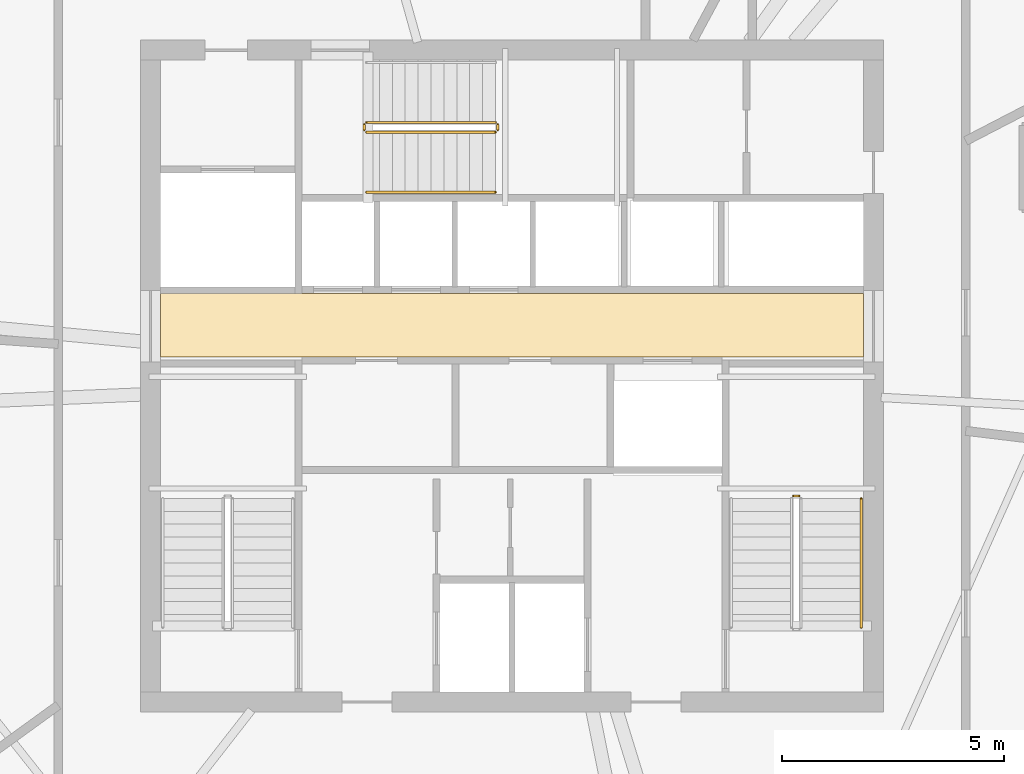
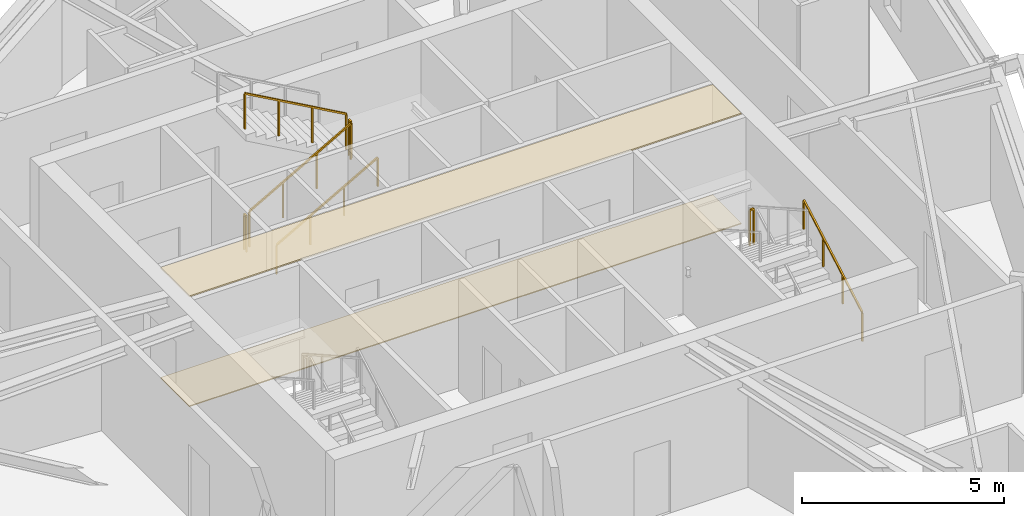
# One storey, part 12 of 13: 7 railings, 2 coverings.
"""IFC4 building model written with IfcOpenShell, lengths in metres."""

from ifc_helpers import new_model, si_unit, direction, frame, origin, origin_2d, place, context, subcontext, project, spatial, polyline, rectangle, outline, extrude, material, layer, layer_set, type_object, element, save


model = new_model("IFC4")

# Units and contexts
model_context = context("Model", 3, precision=1e-05, world=origin(), true_north=direction((0.0, 1.0)))
body_context = subcontext(model_context, "Body", "Model", "MODEL_VIEW")
ifc_project = project(units=[si_unit("LENGTHUNIT", "METRE"), si_unit("AREAUNIT", "SQUARE_METRE"), si_unit("VOLUMEUNIT", "CUBIC_METRE"), si_unit("PLANEANGLEUNIT", "RADIAN"), si_unit("MASSUNIT", "GRAM", prefix="KILO")], contexts=[model_context])

# Site, building, storey
site_placement = place(None, origin())
site = spatial("IfcSite", under=ifc_project, at=site_placement, CompositionType="ELEMENT")
building_placement = place(site_placement, origin())
building = spatial("IfcBuilding", under=site, at=building_placement, Name="Olszyna Solenne Hotel", CompositionType="ELEMENT")
storey_placement = place(building_placement, frame((0.0, 0.0, 248.89990234375)))
storey = spatial("IfcBuildingStorey", under=building, at=storey_placement, Name="L66", CompositionType="ELEMENT", Elevation=248.89990234375)

# Coverings
ifc_material_1 = material(Name="Mineral wool acoustic ceiling")
ifc_layer_1 = layer(ifc_material_1, 0.0400390625, Name="Mineral wool acoustic ceiling")
ifc_layer_set_1 = layer_set([ifc_layer_1], Name="Mineral wool acoustic ceiling")
covering_type_1 = type_object("IfcCoveringType", Name="CL-AC1", PredefinedType="CEILING", material=ifc_layer_set_1)
covering_1_placement = place(storey_placement, frame((0.0, 0.0, 3.320068359375)))
element("IfcCovering", 1, at=covering_1_placement, inside=storey, type_object=covering_type_1, Name="Lift lobby acoustic tile ceiling CL-L66-01", PredefinedType="CEILING", context=body_context, shape_type="SweptSolid", body=[
    extrude(outline(polyline([(30.10009765625, 27.030029296875), (45.89990234375, 27.030029296875), (45.89990234375, 28.4599609375), (30.10009765625, 28.4599609375), (30.10009765625, 27.030029296875)])), origin(), (0.0, 0.0, 1.0), 0.0400390625),
])
ifc_material_2 = material(Name="Ceramic floor tile")
ifc_layer_2 = layer(ifc_material_2, 0.030029296875, Name="Ceramic floor tile")
ifc_layer_set_2 = layer_set([ifc_layer_2], Name="Ceramic floor tile")
covering_type_2 = type_object("IfcCoveringType", Name="FL-TL1", PredefinedType="FLOORING", material=ifc_layer_set_2)
covering_2_placement = place(storey_placement, origin())
element("IfcCovering", 2, at=covering_2_placement, inside=storey, type_object=covering_type_2, Name="Lift lobby stoneware floor finish FLR-L66-01", PredefinedType="FLOORING", context=body_context, shape_type="SweptSolid", body=[
    extrude(outline(polyline([(30.10009765625, 27.030029296875), (45.89990234375, 27.030029296875), (45.89990234375, 28.4599609375), (30.10009765625, 28.4599609375), (30.10009765625, 27.030029296875)])), origin(), (0.0, 0.0, 1.0), 0.030029296875),
])

# Railings
ifc_material_3 = material(Name="Anodised bronze aluminium", Category="aluminium")
railing_type_1 = type_object("IfcRailingType", Name="GR-110", PredefinedType="BALUSTRADE", material=ifc_material_3)
railing_1_placement = place(storey_placement, frame((44.449951171875, 23.89990234375, 1.800048828125)))
element("IfcRailing", 3, at=railing_1_placement, inside=storey, type_object=railing_type_1, Name="L66 ST2 stair guard 2", PredefinedType="BALUSTRADE", context=body_context, shape_type="SweptSolid", body=[
    extrude(rectangle(XDim=0.048095703125, YDim=0.048095703125, at=origin_2d()), frame((0.0, 0.0, 1.076171875), z_axis=(-1.0, 0.0, 0.0), x_axis=(0.0, -1.0, 0.0)), (0.0, 0.0, 1.0), 0.119873046875),
    extrude(rectangle(XDim=0.0419921875, YDim=0.0419921875, at=origin_2d()), origin(), (0.0, 0.0, 1.0), 1.052001953125),
    extrude(rectangle(XDim=0.0419921875, YDim=0.0419921875, at=origin_2d()), frame((-0.119873046875, 0.0, 0.0)), (0.0, 0.0, 1.0), 1.052001953125),
])
railing_2_placement = place(storey_placement, frame((34.72998046875, 32.080078125, 0.163818359375)))
element("IfcRailing", 4, at=railing_2_placement, inside=storey, type_object=railing_type_1, Name="L66 ST3 stair guard 1", PredefinedType="BALUSTRADE", context=body_context, shape_type="SweptSolid", body=[
    extrude(rectangle(XDim=0.048095703125, YDim=0.048095703125, at=origin_2d()), frame((0.0, 0.0, 1.076171875), z_axis=(0.870928581787, 0.0, 0.491409610636), x_axis=(0.0, 1.0, 0.0)), (0.0, 0.0, 1.0), 3.32958984375),
    extrude(rectangle(XDim=0.0419921875, YDim=0.0419921875, at=origin_2d()), origin(), (0.0, 0.0, 1.0), 1.052001953125),
    extrude(rectangle(XDim=0.0419921875, YDim=0.0419921875, at=origin_2d()), frame((0.966552734375, 0.0, 0.54541015625)), (0.0, 0.0, 1.0), 1.052001953125),
    extrude(rectangle(XDim=0.0419921875, YDim=0.0419921875, at=origin_2d()), frame((1.933349609375, 0.0, 1.0908203125)), (0.0, 0.0, 1.0), 1.052001953125),
    extrude(rectangle(XDim=0.0419921875, YDim=0.0419921875, at=origin_2d()), frame((2.89990234375, 0.0, 1.63623046875)), (0.0, 0.0, 1.0), 1.052001953125),
])
railing_3_placement = place(storey_placement, frame((37.679931640625, 32.1298828125, 1.800048828125)))
element("IfcRailing", 5, at=railing_3_placement, inside=storey, type_object=railing_type_1, Name="L66 ST3 stair guard 2", PredefinedType="BALUSTRADE", context=body_context, shape_type="SweptSolid", body=[
    extrude(rectangle(XDim=0.048095703125, YDim=0.048095703125, at=origin_2d()), frame((0.0, 0.0, 1.076171875), z_axis=(0.0, 1.0, 0.0), x_axis=(-1.0, 0.0, 0.0)), (0.0, 0.0, 1.0), 0.1201171875),
    extrude(rectangle(XDim=0.0419921875, YDim=0.0419921875, at=origin_2d()), origin(), (0.0, 0.0, 1.0), 1.052001953125),
    extrude(rectangle(XDim=0.0419921875, YDim=0.0419921875, at=origin_2d()), frame((0.0, 0.1201171875, 0.0)), (0.0, 0.0, 1.0), 1.052001953125),
])
railing_4_placement = place(storey_placement, frame((37.6298828125, 32.300048828125, 1.963623046875)))
element("IfcRailing", 6, at=railing_4_placement, inside=storey, type_object=railing_type_1, Name="L66 ST3 stair guard 3", PredefinedType="BALUSTRADE", context=body_context, shape_type="SweptSolid", body=[
    extrude(rectangle(XDim=0.048095703125, YDim=0.048095703125, at=origin_2d()), frame((0.0, 0.0, 1.076171875), z_axis=(-0.870897200241, 0.0, 0.491465224214), x_axis=(0.0, -1.0, 0.0)), (0.0, 0.0, 1.0), 3.329833984375),
    extrude(rectangle(XDim=0.0419921875, YDim=0.0419921875, at=origin_2d()), origin(), (0.0, 0.0, 1.0), 1.052001953125),
    extrude(rectangle(XDim=0.0419921875, YDim=0.0419921875, at=origin_2d()), frame((-0.966552734375, 0.0, 0.54541015625)), (0.0, 0.0, 1.0), 1.052001953125),
    extrude(rectangle(XDim=0.0419921875, YDim=0.0419921875, at=origin_2d()), frame((-1.933349609375, 0.0, 1.091064453125)), (0.0, 0.0, 1.0), 1.052001953125),
    extrude(rectangle(XDim=0.0419921875, YDim=0.0419921875, at=origin_2d()), frame((-2.89990234375, 0.0, 1.636474609375)), (0.0, 0.0, 1.0), 1.052001953125),
])
railing_5_placement = place(storey_placement, frame((34.679931640625, 32.1298828125, 0.0)))
element("IfcRailing", 7, at=railing_5_placement, inside=storey, type_object=railing_type_1, Name="L66 ST3 stair guard 4", PredefinedType="BALUSTRADE", context=body_context, shape_type="SweptSolid", body=[
    extrude(rectangle(XDim=0.048095703125, YDim=0.048095703125, at=origin_2d()), frame((0.0, 0.0, 1.076171875), z_axis=(0.0, 1.0, 0.0), x_axis=(-1.0, 0.0, 0.0)), (0.0, 0.0, 1.0), 0.1201171875),
    extrude(rectangle(XDim=0.0419921875, YDim=0.0419921875, at=origin_2d()), origin(), (0.0, 0.0, 1.0), 1.052001953125),
    extrude(rectangle(XDim=0.0419921875, YDim=0.0419921875, at=origin_2d()), frame((0.0, 0.1201171875, 0.0)), (0.0, 0.0, 1.0), 1.052001953125),
])
ifc_material_4 = material(Name="Steel S355J2", Category="steel")
railing_type_2 = type_object("IfcRailingType", Name="HR-090", PredefinedType="HANDRAIL", material=ifc_material_4)
railing_6_placement = place(storey_placement, frame((45.85009765625, 20.949951171875, 0.163818359375)))
element("IfcRailing", 8, at=railing_6_placement, inside=storey, type_object=railing_type_2, Name="L66 ST2 stair handrail 1", PredefinedType="HANDRAIL", context=body_context, shape_type="SweptSolid", body=[
    extrude(rectangle(XDim=0.048095703125, YDim=0.048095703125, at=origin_2d()), frame((0.0, 0.0, 0.8759765625), z_axis=(0.0, 0.870946286338, 0.49137823142), x_axis=(-1.0, 0.0, 0.0)), (0.0, 0.0, 1.0), 3.329833984375),
    extrude(rectangle(XDim=0.0419921875, YDim=0.0419921875, at=origin_2d()), origin(), (0.0, 0.0, 1.0), 0.851806640625),
    extrude(rectangle(XDim=0.0419921875, YDim=0.0419921875, at=origin_2d()), frame((0.0, 0.966796875, 0.54541015625)), (0.0, 0.0, 1.0), 0.851806640625),
    extrude(rectangle(XDim=0.0419921875, YDim=0.0419921875, at=origin_2d()), frame((0.0, 1.933349609375, 1.0908203125)), (0.0, 0.0, 1.0), 0.851806640625),
    extrude(rectangle(XDim=0.0419921875, YDim=0.0419921875, at=origin_2d()), frame((0.0, 2.900146484375, 1.63623046875)), (0.0, 0.0, 1.0), 0.851806640625),
])
railing_7_placement = place(storey_placement, frame((34.72998046875, 30.72998046875, 0.163818359375)))
element("IfcRailing", 9, at=railing_7_placement, inside=storey, type_object=railing_type_2, Name="L66 ST3 stair handrail 1", PredefinedType="HANDRAIL", context=body_context, shape_type="SweptSolid", body=[
    extrude(rectangle(XDim=0.048095703125, YDim=0.048095703125, at=origin_2d()), frame((0.0, 0.0, 0.8759765625), z_axis=(0.870928581787, 0.0, 0.491409610636), x_axis=(0.0, 1.0, 0.0)), (0.0, 0.0, 1.0), 3.32958984375),
    extrude(rectangle(XDim=0.0419921875, YDim=0.0419921875, at=origin_2d()), origin(), (0.0, 0.0, 1.0), 0.851806640625),
    extrude(rectangle(XDim=0.0419921875, YDim=0.0419921875, at=origin_2d()), frame((0.966552734375, 0.0, 0.54541015625)), (0.0, 0.0, 1.0), 0.851806640625),
    extrude(rectangle(XDim=0.0419921875, YDim=0.0419921875, at=origin_2d()), frame((1.933349609375, 0.0, 1.0908203125)), (0.0, 0.0, 1.0), 0.851806640625),
    extrude(rectangle(XDim=0.0419921875, YDim=0.0419921875, at=origin_2d()), frame((2.89990234375, 0.0, 1.63623046875)), (0.0, 0.0, 1.0), 0.851806640625),
])

save(model, "model.ifc")
